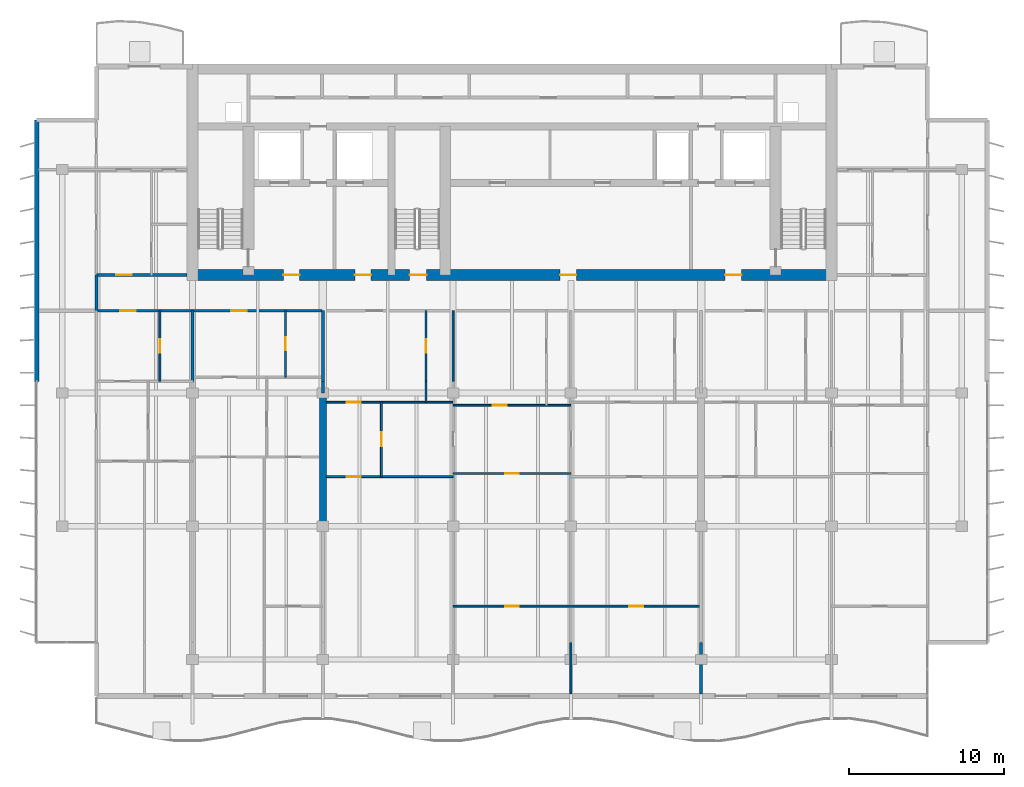
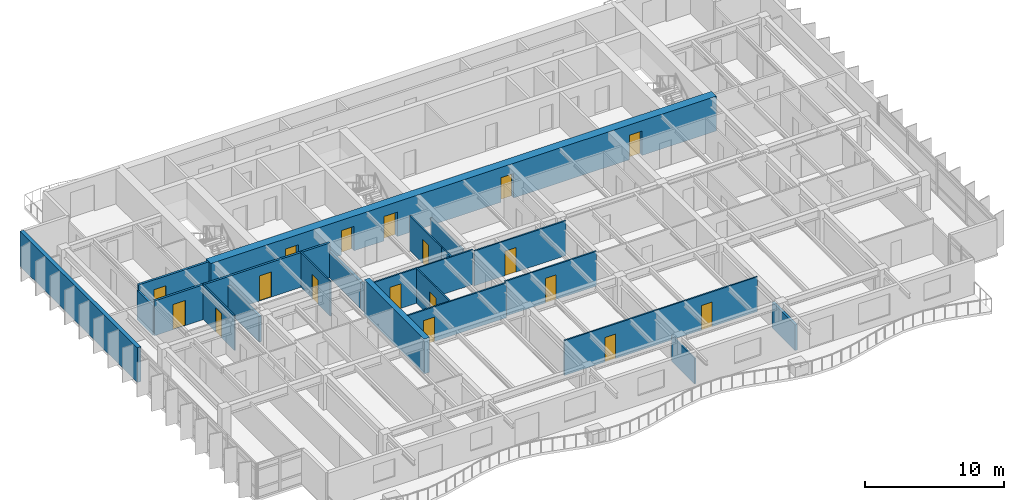
# One storey, part 7 of 16: 22 walls, 18 doors, 18 openings.
"""IFC4 building model written with IfcOpenShell, lengths in metres."""

from ifc_helpers import new_model, si_unit, direction, frame, frame_2d, origin, place, context, subcontext, project, spatial, rectangle, extrude, material, layer, layer_set, type_object, element, fill, save


model = new_model("IFC4")

# Units and contexts
model_context = context("Model", 3, precision=1e-05, world=origin(), true_north=direction((0.0, 1.0)))
body_context = subcontext(model_context, "Body", "Model", "MODEL_VIEW")
ifc_project = project(units=[si_unit("LENGTHUNIT", "METRE"), si_unit("AREAUNIT", "SQUARE_METRE"), si_unit("VOLUMEUNIT", "CUBIC_METRE"), si_unit("PLANEANGLEUNIT", "RADIAN"), si_unit("MASSUNIT", "GRAM", prefix="KILO")], contexts=[model_context])

# Site, building, storey
site_placement = place(None, origin())
site = spatial("IfcSite", under=ifc_project, at=site_placement, CompositionType="ELEMENT")
building_placement = place(site_placement, origin())
building = spatial("IfcBuilding", under=site, at=building_placement, Name="Caelmar Bay Residences", CompositionType="ELEMENT")
storey_placement = place(building_placement, frame((0.0, 0.0, 249.60009765625)))
storey = spatial("IfcBuildingStorey", under=building, at=storey_placement, Name="L70", CompositionType="ELEMENT", Elevation=249.60009765625)

# Wall, openings, doors
ifc_material_1 = material(Name="Concrete f'c 55 MPa (8,000 psi)", Category="concrete")
ifc_layer_1 = layer(ifc_material_1, 0.699951171875)
ifc_layer_set_1 = layer_set([ifc_layer_1], Name="Concrete f'c 55 MPa (8,000 psi)")
wall_type_1 = type_object("IfcWallType", Name="SW-COR-700", PredefinedType="SHEAR", material=ifc_layer_set_1)
wall_1_placement = place(storey_placement, frame((17.949951171875, 37.0, 0.0), z_axis=(0.0, 0.0, 1.0), x_axis=(1.0, 0.0, 0.0)))
wall_1 = element("IfcWall", 1, at=wall_1_placement, inside=storey, type_object=wall_type_1, Name="L70 Rear Core South Shear Wall", PredefinedType="SHEAR", context=body_context, shape_type="SweptSolid", body=[
    extrude(rectangle(XDim=41.900146484375, YDim=0.699951171875, at=frame_2d((20.9501953125, 0.0))), origin(), (0.0, 0.0, 1.0), 3.0498046875),
])
opening_1_placement = place(wall_1_placement, frame((14.35009765625, 0.0, 0.0)))
opening_1 = element("IfcOpeningElement", 2, at=opening_1_placement, cuts=wall_1, Name="Opening D-L70-105", PredefinedType="OPENING", context=body_context, shape_type="SweptSolid", body=[
    extrude(rectangle(XDim=1.10009765625, YDim=2.14990234375, at=frame_2d((0.550048828125, 1.074951171875))), frame((0.0, 0.35986328125, 0.0), z_axis=(0.0, -1.0, 0.0), x_axis=(1.0, 0.0, 0.0)), (0.0, 0.0, 1.0), 0.719970703125),
])
opening_2_placement = place(wall_1_placement, frame((6.199951171875, 0.0, 0.0)))
opening_2 = element("IfcOpeningElement", 3, at=opening_2_placement, cuts=wall_1, Name="Opening D-L70-106", PredefinedType="OPENING", context=body_context, shape_type="SweptSolid", body=[
    extrude(rectangle(XDim=1.050048828125, YDim=2.14990234375, at=frame_2d((0.52490234375, 1.074951171875))), frame((0.0, 0.35986328125, 0.0), z_axis=(0.0, -1.0, 0.0), x_axis=(1.0, 0.0, 0.0)), (0.0, 0.0, 1.0), 0.719970703125),
])
opening_3_placement = place(wall_1_placement, frame((34.699951171875, 0.0, 0.0)))
opening_3 = element("IfcOpeningElement", 4, at=opening_3_placement, cuts=wall_1, Name="Opening D-L70-109", PredefinedType="OPENING", context=body_context, shape_type="SweptSolid", body=[
    extrude(rectangle(XDim=1.050048828125, YDim=2.14990234375, at=frame_2d((0.52490234375, 1.074951171875))), frame((0.0, 0.35986328125, 0.0), z_axis=(0.0, -1.0, 0.0), x_axis=(1.0, 0.0, 0.0)), (0.0, 0.0, 1.0), 0.719970703125),
])
opening_4_placement = place(wall_1_placement, frame((10.8125, 0.0, 0.0)))
opening_4 = element("IfcOpeningElement", 5, at=opening_4_placement, cuts=wall_1, Name="Opening D-L70-112", PredefinedType="OPENING", context=body_context, shape_type="SweptSolid", body=[
    extrude(rectangle(XDim=1.050048828125, YDim=2.14990234375, at=frame_2d((0.52490234375, 1.074951171875))), frame((0.0, 0.35986328125, 0.0), z_axis=(0.0, -1.0, 0.0), x_axis=(1.0, 0.0, 0.0)), (0.0, 0.0, 1.0), 0.719970703125),
])
opening_5_placement = place(wall_1_placement, frame((24.050048828125, 0.0, 0.0)))
opening_5 = element("IfcOpeningElement", 6, at=opening_5_placement, cuts=wall_1, Name="Opening D-L70-113", PredefinedType="OPENING", context=body_context, shape_type="SweptSolid", body=[
    extrude(rectangle(XDim=1.050048828125, YDim=2.14990234375, at=frame_2d((0.52490234375, 1.074951171875))), frame((0.0, 0.35986328125, 0.0), z_axis=(0.0, -1.0, 0.0), x_axis=(1.0, 0.0, 0.0)), (0.0, 0.0, 1.0), 0.719970703125),
])
ifc_material_2 = material(Name="Fire-rated steel and walnut architectural door assembly", Category="steel")
ifc_layer_2 = layer(ifc_material_2, 0.050048828125)
ifc_layer_set_2 = layer_set([ifc_layer_2], Name="Fire-rated steel and walnut architectural door assembly")
door_type_1 = type_object("IfcDoorType", Name="D-FSAE-1050", OperationType="NOTDEFINED", PredefinedType="DOOR", material=ifc_layer_set_2)
door_1_placement = place(opening_2_placement, origin())
door_1 = element("IfcDoor", 7, at=door_1_placement, inside=storey, type_object=door_type_1, Name="L70 Firefighting Lobby West Door", OperationType="SINGLE_SWING_RIGHT", OverallHeight=2.14990234375, OverallWidth=1.050048828125, PredefinedType="DOOR", context=body_context, shape_type="SweptSolid", body=[
    extrude(rectangle(XDim=1.050048828125, YDim=2.14990234375, at=frame_2d((0.52490234375, 1.074951171875))), frame((0.0, 0.02490234375, 0.0), z_axis=(0.0, -1.0, 0.0), x_axis=(1.0, 0.0, 0.0)), (0.0, 0.0, 1.0), 0.050048828125),
])
fill(opening_2, door_1)
door_2_placement = place(opening_3_placement, origin())
door_2 = element("IfcDoor", 8, at=door_2_placement, inside=storey, type_object=door_type_1, Name="L70 Firefighting Lobby East Door", OperationType="SINGLE_SWING_LEFT", OverallHeight=2.14990234375, OverallWidth=1.050048828125, PredefinedType="DOOR", context=body_context, shape_type="SweptSolid", body=[
    extrude(rectangle(XDim=1.050048828125, YDim=2.14990234375, at=frame_2d((0.52490234375, 1.074951171875))), frame((0.0, 0.02490234375, 0.0), z_axis=(0.0, -1.0, 0.0), x_axis=(1.0, 0.0, 0.0)), (0.0, 0.0, 1.0), 0.050048828125),
])
fill(opening_3, door_2)
door_3_placement = place(opening_4_placement, origin())
door_3 = element("IfcDoor", 9, at=door_3_placement, inside=storey, type_object=door_type_1, Name="L70 West Lift Lobby Door", OperationType="SINGLE_SWING_RIGHT", OverallHeight=2.14990234375, OverallWidth=1.050048828125, PredefinedType="DOOR", context=body_context, shape_type="SweptSolid", body=[
    extrude(rectangle(XDim=1.050048828125, YDim=2.14990234375, at=frame_2d((0.52490234375, 1.074951171875))), frame((0.0, 0.02490234375, 0.0), z_axis=(0.0, -1.0, 0.0), x_axis=(1.0, 0.0, 0.0)), (0.0, 0.0, 1.0), 0.050048828125),
])
fill(opening_4, door_3)
door_4_placement = place(opening_5_placement, origin())
door_4 = element("IfcDoor", 10, at=door_4_placement, inside=storey, type_object=door_type_1, Name="L70 Passenger Lift Lobby Door", OperationType="SINGLE_SWING_LEFT", OverallHeight=2.14990234375, OverallWidth=1.050048828125, PredefinedType="DOOR", context=body_context, shape_type="SweptSolid", body=[
    extrude(rectangle(XDim=1.050048828125, YDim=2.14990234375, at=frame_2d((0.52490234375, 1.074951171875))), frame((0.0, 0.02490234375, 0.0), z_axis=(0.0, -1.0, 0.0), x_axis=(1.0, 0.0, 0.0)), (0.0, 0.0, 1.0), 0.050048828125),
])
fill(opening_5, door_4)
ifc_layer_3 = layer(ifc_material_2, 0.050048828125)
ifc_layer_set_3 = layer_set([ifc_layer_3], Name="Fire-rated steel and walnut architectural door assembly")
door_type_2 = type_object("IfcDoorType", Name="D-STAIR-1100", OperationType="NOTDEFINED", PredefinedType="DOOR", material=ifc_layer_set_3)
door_5_placement = place(opening_1_placement, origin())
door_5 = element("IfcDoor", 11, at=door_5_placement, inside=storey, type_object=door_type_2, Name="L70 Exit Stair ST3 Door", OperationType="SINGLE_SWING_LEFT", OverallHeight=2.14990234375, OverallWidth=1.10009765625, PredefinedType="DOOR", context=body_context, shape_type="SweptSolid", body=[
    extrude(rectangle(XDim=1.10009765625, YDim=2.14990234375, at=frame_2d((0.550048828125, 1.074951171875))), frame((0.0, 0.02490234375, 0.0), z_axis=(0.0, -1.0, 0.0), x_axis=(1.0, 0.0, 0.0)), (0.0, 0.0, 1.0), 0.050048828125),
])
fill(opening_1, door_5)

# Walls
ifc_layer_4 = layer(ifc_material_1, 0.449951171875)
ifc_layer_set_4 = layer_set([ifc_layer_4], Name="Concrete f'c 55 MPa (8,000 psi)")
wall_type_2 = type_object("IfcWallType", Name="SW-XSLB-450", PredefinedType="SHEAR", material=ifc_layer_set_4)
wall_2_placement = place(storey_placement, frame((26.699951171875, 20.800048828125, 0.0), z_axis=(0.0, 0.0, 1.0), x_axis=(0.0, 1.0, 0.0)))
element("IfcWall", 12, at=wall_2_placement, inside=storey, type_object=wall_type_2, Name="L70 Transverse Cross-Slab Shear Wall W5", PredefinedType="SHEAR", context=body_context, shape_type="SweptSolid", body=[
    extrude(rectangle(XDim=8.599853515625, YDim=0.449951171875, at=frame_2d((4.2998046875, 0.0))), origin(), (0.0, 0.0, 1.0), 3.0498046875),
])
ifc_material_3 = material(Name="Double-stud acoustic fire-rated gypsum partition 180 mm")
ifc_layer_5 = layer(ifc_material_3, 0.179931640625)
ifc_layer_set_5 = layer_set([ifc_layer_5], Name="Double-stud acoustic fire-rated gypsum partition 180 mm")
wall_type_3 = type_object("IfcWallType", Name="W-COR-200", PredefinedType="PARTITIONING", material=ifc_layer_set_5)
wall_3_placement = place(storey_placement, frame((12.10009765625, 34.705078125, 0.0), z_axis=(0.0, 0.0, 1.0), x_axis=(0.0, 1.0, 0.0)))
element("IfcWall", 13, at=wall_3_placement, inside=storey, type_object=wall_type_3, Name="L70 Partition Wall V003", PredefinedType="PARTITIONING", context=body_context, shape_type="SweptSolid", body=[
    extrude(rectangle(XDim=2.294921875, YDim=0.179931640625, at=frame_2d((1.1474609375, 0.0))), origin(), (0.0, 0.0, 1.0), 2.577880859375),
])

# Wall, openings, doors
wall_4_placement = place(storey_placement, frame((12.10498046875, 34.699951171875, 0.0), z_axis=(0.0, 0.0, 1.0), x_axis=(1.0, 0.0, 0.0)))
wall_4 = element("IfcWall", 14, at=wall_4_placement, inside=storey, type_object=wall_type_3, Name="L70 Partition Wall H085", PredefinedType="PARTITIONING", context=body_context, shape_type="SweptSolid", body=[
    extrude(rectangle(XDim=14.544921875, YDim=0.179931640625, at=frame_2d((7.2724609375, 0.0))), origin(), (0.0, 0.0, 1.0), 3.0498046875),
])
opening_6_placement = place(wall_4_placement, frame((1.544921875, 0.0, 0.0)))
opening_6 = element("IfcOpeningElement", 15, at=opening_6_placement, cuts=wall_4, Name="Opening D-L70-124", PredefinedType="OPENING", context=body_context, shape_type="SweptSolid", body=[
    extrude(rectangle(XDim=1.0, YDim=2.199951171875, at=frame_2d((0.5, 1.10009765625))), frame((0.0, 0.099853515625, 0.0), z_axis=(0.0, -1.0, 0.0), x_axis=(1.0, 0.0, 0.0)), (0.0, 0.0, 1.0), 0.199951171875),
])
opening_7_placement = place(wall_4_placement, frame((8.69140625, 0.0, 0.0)))
opening_7 = element("IfcOpeningElement", 16, at=opening_7_placement, cuts=wall_4, Name="Opening D-L70-130", PredefinedType="OPENING", context=body_context, shape_type="SweptSolid", body=[
    extrude(rectangle(XDim=1.0, YDim=2.199951171875, at=frame_2d((0.5, 1.10009765625))), frame((0.0, 0.099853515625, 0.0), z_axis=(0.0, -1.0, 0.0), x_axis=(1.0, 0.0, 0.0)), (0.0, 0.0, 1.0), 0.199951171875),
])
ifc_layer_6 = layer(ifc_material_2, 0.050048828125)
ifc_layer_set_6 = layer_set([ifc_layer_6], Name="Fire-rated steel and walnut architectural door assembly")
door_type_3 = type_object("IfcDoorType", Name="D-UNIT-1000", OperationType="NOTDEFINED", PredefinedType="DOOR", material=ifc_layer_set_6)
door_6_placement = place(opening_6_placement, origin())
door_6 = element("IfcDoor", 17, at=door_6_placement, inside=storey, type_object=door_type_3, Name="L70 Residence 01 Apartment Hall Door", OperationType="SINGLE_SWING_RIGHT", OverallHeight=2.199951171875, OverallWidth=1.0, PredefinedType="DOOR", context=body_context, shape_type="SweptSolid", body=[
    extrude(rectangle(XDim=1.0, YDim=2.199951171875, at=frame_2d((0.5, 1.10009765625))), frame((0.0, 0.02490234375, 0.0), z_axis=(0.0, -1.0, 0.0), x_axis=(1.0, 0.0, 0.0)), (0.0, 0.0, 1.0), 0.050048828125),
])
fill(opening_6, door_6)
door_7_placement = place(opening_7_placement, origin())
door_7 = element("IfcDoor", 18, at=door_7_placement, inside=storey, type_object=door_type_3, Name="L70 Residence 02 Apartment Hall Door", OperationType="SINGLE_SWING_RIGHT", OverallHeight=2.199951171875, OverallWidth=1.0, PredefinedType="DOOR", context=body_context, shape_type="SweptSolid", body=[
    extrude(rectangle(XDim=1.0, YDim=2.199951171875, at=frame_2d((0.5, 1.10009765625))), frame((0.0, 0.02490234375, 0.0), z_axis=(0.0, -1.0, 0.0), x_axis=(1.0, 0.0, 0.0)), (0.0, 0.0, 1.0), 0.050048828125),
])
fill(opening_7, door_7)

# Wall, opening, door
wall_5_placement = place(storey_placement, frame((12.10009765625, 37.0, 0.0), z_axis=(0.0, 0.0, 1.0), x_axis=(1.0, 0.0, 0.0)))
wall_5 = element("IfcWall", 19, at=wall_5_placement, inside=storey, type_object=wall_type_3, Name="L70 Partition Wall H088", PredefinedType="PARTITIONING", context=body_context, shape_type="SweptSolid", body=[
    extrude(rectangle(XDim=5.844970703125, YDim=0.179931640625, at=frame_2d((2.92236328125, 0.0))), origin(), (0.0, 0.0, 1.0), 3.0498046875),
])
opening_8_placement = place(wall_5_placement, frame((1.27490234375, 0.0, 0.0)))
opening_8 = element("IfcOpeningElement", 20, at=opening_8_placement, cuts=wall_5, Name="Opening D-L70-164", PredefinedType="OPENING", context=body_context, shape_type="SweptSolid", body=[
    extrude(rectangle(XDim=1.0, YDim=2.199951171875, at=frame_2d((0.5, 1.10009765625))), frame((0.0, 0.099853515625, 0.0), z_axis=(0.0, -1.0, 0.0), x_axis=(1.0, 0.0, 0.0)), (0.0, 0.0, 1.0), 0.199951171875),
])
door_8_placement = place(opening_8_placement, origin())
door_8 = element("IfcDoor", 21, at=door_8_placement, inside=storey, type_object=door_type_3, Name="L70 Residence WA Kitchen Door", OperationType="SINGLE_SWING_RIGHT", OverallHeight=2.199951171875, OverallWidth=1.0, PredefinedType="DOOR", context=body_context, shape_type="SweptSolid", body=[
    extrude(rectangle(XDim=1.0, YDim=2.199951171875, at=frame_2d((0.5, 1.10009765625))), frame((0.0, 0.02490234375, 0.0), z_axis=(0.0, -1.0, 0.0), x_axis=(1.0, 0.0, 0.0)), (0.0, 0.0, 1.0), 0.050048828125),
])
fill(opening_8, door_8)

# Wall
ifc_material_4 = material(Name="Precast concrete f'c 40 MPa (6,000 psi)", Category="concrete")
ifc_layer_7 = layer(ifc_material_4, 0.300048828125)
ifc_layer_set_7 = layer_set([ifc_layer_7], Name="Precast concrete f'c 40 MPa (6,000 psi)")
wall_type_4 = type_object("IfcWallType", Name="W-EXT-300", PredefinedType="STANDARD", material=ifc_layer_set_7)
wall_6_placement = place(storey_placement, frame((8.25, 30.14990234375, 0.0), z_axis=(0.0, 0.0, 1.0), x_axis=(0.0, 1.0, 0.0)))
element("IfcWall", 22, at=wall_6_placement, inside=storey, type_object=wall_type_4, Name="L70 West Rear Exterior Wall", PredefinedType="STANDARD", context=body_context, shape_type="SweptSolid", body=[
    extrude(rectangle(XDim=16.85009765625, YDim=0.300048828125, at=frame_2d((8.425048828125, 0.0))), origin(), (0.0, 0.0, 1.0), 3.0498046875),
])

# Wall, opening, door
ifc_material_5 = material(Name="Acoustic metal-stud gypsum partition 120 mm")
ifc_layer_8 = layer(ifc_material_5, 0.1201171875)
ifc_layer_set_8 = layer_set([ifc_layer_8], Name="Acoustic metal-stud gypsum partition 120 mm")
wall_type_5 = type_object("IfcWallType", Name="W-PRT-120", PredefinedType="PARTITIONING", material=ifc_layer_set_8)
wall_7_placement = place(storey_placement, frame((16.195068359375, 30.14990234375, 0.0), z_axis=(0.0, 0.0, 1.0), x_axis=(0.0, 1.0, 0.0)))
wall_7 = element("IfcWall", 23, at=wall_7_placement, inside=storey, type_object=wall_type_5, Name="L70 Partition Wall V009", PredefinedType="PARTITIONING", context=body_context, shape_type="SweptSolid", body=[
    extrude(rectangle(XDim=4.550048828125, YDim=0.1201171875, at=frame_2d((2.27490234375, 0.0))), origin(), (0.0, 0.0, 1.0), 3.0498046875),
])
opening_9_placement = place(wall_7_placement, frame((1.85009765625, 0.0, 0.0)))
opening_9 = element("IfcOpeningElement", 24, at=opening_9_placement, cuts=wall_7, Name="Opening D-L70-125", PredefinedType="OPENING", context=body_context, shape_type="SweptSolid", body=[
    extrude(rectangle(XDim=0.85009765625, YDim=2.10009765625, at=frame_2d((0.425048828125, 1.050048828125))), frame((0.0, 0.070068359375, 0.0), z_axis=(0.0, -1.0, 0.0), x_axis=(1.0, 0.0, 0.0)), (0.0, 0.0, 1.0), 0.14013671875),
])
ifc_material_6 = material(Name="Solid walnut timber interior door leaf and frame", Category="wood")
ifc_layer_9 = layer(ifc_material_6, 0.050048828125)
ifc_layer_set_9 = layer_set([ifc_layer_9], Name="Solid walnut timber interior door leaf and frame")
door_type_4 = type_object("IfcDoorType", Name="D-BATH-850", OperationType="NOTDEFINED", PredefinedType="DOOR", material=ifc_layer_set_9)
door_9_placement = place(opening_9_placement, origin())
door_9 = element("IfcDoor", 25, at=door_9_placement, inside=storey, type_object=door_type_4, Name="L70 Residence 01 Bathroom Door", OperationType="SINGLE_SWING_LEFT", OverallHeight=2.10009765625, OverallWidth=0.85009765625, PredefinedType="DOOR", context=body_context, shape_type="SweptSolid", body=[
    extrude(rectangle(XDim=0.85009765625, YDim=2.10009765625, at=frame_2d((0.425048828125, 1.050048828125))), frame((0.0, 0.02490234375, 0.0), z_axis=(0.0, -1.0, 0.0), x_axis=(1.0, 0.0, 0.0)), (0.0, 0.0, 1.0), 0.050048828125),
])
fill(opening_9, door_9)

wall_8_placement = place(storey_placement, frame((24.29296875, 30.419921875, 0.0), z_axis=(0.0, 0.0, 1.0), x_axis=(0.0, 1.0, 0.0)))
wall_8 = element("IfcWall", 26, at=wall_8_placement, inside=storey, type_object=wall_type_5, Name="L70 Partition Wall V018", PredefinedType="PARTITIONING", context=body_context, shape_type="SweptSolid", body=[
    extrude(rectangle(XDim=4.280029296875, YDim=0.1201171875, at=frame_2d((2.14013671875, 0.0))), origin(), (0.0, 0.0, 1.0), 3.0498046875),
])
opening_10_placement = place(wall_8_placement, frame((1.715087890625, 0.0, 0.0)))
opening_10 = element("IfcOpeningElement", 27, at=opening_10_placement, cuts=wall_8, Name="Opening D-L70-131", PredefinedType="OPENING", context=body_context, shape_type="SweptSolid", body=[
    extrude(rectangle(XDim=0.85009765625, YDim=2.10009765625, at=frame_2d((0.425048828125, 1.050048828125))), frame((0.0, 0.070068359375, 0.0), z_axis=(0.0, -1.0, 0.0), x_axis=(1.0, 0.0, 0.0)), (0.0, 0.0, 1.0), 0.14013671875),
])
door_10_placement = place(opening_10_placement, origin())
door_10 = element("IfcDoor", 28, at=door_10_placement, inside=storey, type_object=door_type_4, Name="L70 Residence 02 Bathroom Door", OperationType="SINGLE_SWING_LEFT", OverallHeight=2.10009765625, OverallWidth=0.85009765625, PredefinedType="DOOR", context=body_context, shape_type="SweptSolid", body=[
    extrude(rectangle(XDim=0.85009765625, YDim=2.10009765625, at=frame_2d((0.425048828125, 1.050048828125))), frame((0.0, 0.02490234375, 0.0), z_axis=(0.0, -1.0, 0.0), x_axis=(1.0, 0.0, 0.0)), (0.0, 0.0, 1.0), 0.050048828125),
])
fill(opening_10, door_10)

wall_9_placement = place(storey_placement, frame((30.47998046875, 24.0, 0.0), z_axis=(0.0, 0.0, 1.0), x_axis=(0.0, 1.0, 0.0)))
wall_9 = element("IfcWall", 29, at=wall_9_placement, inside=storey, type_object=wall_type_5, Name="L70 Partition Wall V027", PredefinedType="PARTITIONING", context=body_context, shape_type="SweptSolid", body=[
    extrude(rectangle(XDim=4.800048828125, YDim=0.1201171875, at=frame_2d((2.39990234375, 0.0))), origin(), (0.0, 0.0, 1.0), 3.0498046875),
])
opening_11_placement = place(wall_9_placement, frame((1.949951171875, 0.0, 0.0)))
opening_11 = element("IfcOpeningElement", 30, at=opening_11_placement, cuts=wall_9, Name="Opening D-L70-140", PredefinedType="OPENING", context=body_context, shape_type="SweptSolid", body=[
    extrude(rectangle(XDim=0.89990234375, YDim=2.14990234375, at=frame_2d((0.449951171875, 1.074951171875))), frame((0.0, 0.070068359375, 0.0), z_axis=(0.0, -1.0, 0.0), x_axis=(1.0, 0.0, 0.0)), (0.0, 0.0, 1.0), 0.14013671875),
])
ifc_layer_10 = layer(ifc_material_6, 0.050048828125)
ifc_layer_set_10 = layer_set([ifc_layer_10], Name="Solid walnut timber interior door leaf and frame")
door_type_5 = type_object("IfcDoorType", Name="D-ROOM-900", OperationType="NOTDEFINED", PredefinedType="DOOR", material=ifc_layer_set_10)
door_11_placement = place(opening_11_placement, origin())
door_11 = element("IfcDoor", 31, at=door_11_placement, inside=storey, type_object=door_type_5, Name="L70 Residence 03 Kitchen Door", OperationType="SINGLE_SWING_RIGHT", OverallHeight=2.14990234375, OverallWidth=0.89990234375, PredefinedType="DOOR", context=body_context, shape_type="SweptSolid", body=[
    extrude(rectangle(XDim=0.89990234375, YDim=2.14990234375, at=frame_2d((0.449951171875, 1.074951171875))), frame((0.0, 0.02490234375, 0.0), z_axis=(0.0, -1.0, 0.0), x_axis=(1.0, 0.0, 0.0)), (0.0, 0.0, 1.0), 0.050048828125),
])
fill(opening_11, door_11)

# Wall
wall_10_placement = place(storey_placement, frame((33.35400390625, 28.800048828125, 0.0), z_axis=(0.0, 0.0, 1.0), x_axis=(0.0, 1.0, 0.0)))
element("IfcWall", 32, at=wall_10_placement, inside=storey, type_object=wall_type_5, Name="L70 Partition Wall V029", PredefinedType="PARTITIONING", context=body_context, shape_type="SweptSolid", body=[
    extrude(rectangle(XDim=1.33984375, YDim=0.1201171875, at=frame_2d((0.669921875, 0.0))), origin(), (0.0, 0.0, 1.0), 3.0498046875),
])

# Wall, opening, door
wall_11_placement = place(storey_placement, frame((33.35400390625, 30.14990234375, 0.0), z_axis=(0.0, 0.0, 1.0), x_axis=(0.0, 1.0, 0.0)))
wall_11 = element("IfcWall", 33, at=wall_11_placement, inside=storey, type_object=wall_type_5, Name="L70 Partition Wall V030", PredefinedType="PARTITIONING", context=body_context, shape_type="SweptSolid", body=[
    extrude(rectangle(XDim=4.550048828125, YDim=0.1201171875, at=frame_2d((2.27490234375, 0.0))), origin(), (0.0, 0.0, 1.0), 3.0498046875),
])
opening_12_placement = place(wall_11_placement, frame((1.85009765625, 0.0, 0.0)))
opening_12 = element("IfcOpeningElement", 34, at=opening_12_placement, cuts=wall_11, Name="Opening D-L70-138", PredefinedType="OPENING", context=body_context, shape_type="SweptSolid", body=[
    extrude(rectangle(XDim=0.85009765625, YDim=2.10009765625, at=frame_2d((0.425048828125, 1.050048828125))), frame((0.0, 0.070068359375, 0.0), z_axis=(0.0, -1.0, 0.0), x_axis=(1.0, 0.0, 0.0)), (0.0, 0.0, 1.0), 0.14013671875),
])
door_12_placement = place(opening_12_placement, origin())
door_12 = element("IfcDoor", 35, at=door_12_placement, inside=storey, type_object=door_type_4, Name="L70 Residence 03 Guest Bathroom Door", OperationType="SINGLE_SWING_RIGHT", OverallHeight=2.10009765625, OverallWidth=0.85009765625, PredefinedType="DOOR", context=body_context, shape_type="SweptSolid", body=[
    extrude(rectangle(XDim=0.85009765625, YDim=2.10009765625, at=frame_2d((0.425048828125, 1.050048828125))), frame((0.0, 0.02490234375, 0.0), z_axis=(0.0, -1.0, 0.0), x_axis=(1.0, 0.0, 0.0)), (0.0, 0.0, 1.0), 0.050048828125),
])
fill(opening_12, door_12)

# Walls
wall_12_placement = place(storey_placement, frame((35.10009765625, 30.14990234375, 0.0), z_axis=(0.0, 0.0, 1.0), x_axis=(0.0, 1.0, 0.0)))
element("IfcWall", 36, at=wall_12_placement, inside=storey, type_object=wall_type_5, Name="L70 Partition Wall V033", PredefinedType="PARTITIONING", context=body_context, shape_type="SweptSolid", body=[
    extrude(rectangle(XDim=4.550048828125, YDim=0.1201171875, at=frame_2d((2.27490234375, 0.0))), origin(), (0.0, 0.0, 1.0), 2.262939453125),
])
wall_13_placement = place(storey_placement, frame((42.699951171875, 9.9951171875, 0.0), z_axis=(0.0, 0.0, 1.0), x_axis=(0.0, 1.0, 0.0)))
element("IfcWall", 37, at=wall_13_placement, inside=storey, type_object=wall_type_5, Name="L70 Partition Wall V038", PredefinedType="PARTITIONING", context=body_context, shape_type="SweptSolid", body=[
    extrude(rectangle(XDim=3.304931640625, YDim=0.1201171875, at=frame_2d((1.65234375, 0.0))), origin(), (0.0, 0.0, 1.0), 2.262939453125),
])

# Wall, openings, doors
wall_14_placement = place(storey_placement, frame((35.10009765625, 15.64990234375, 0.0), z_axis=(0.0, 0.0, 1.0), x_axis=(1.0, 0.0, 0.0)))
wall_14 = element("IfcWall", 38, at=wall_14_placement, inside=storey, type_object=wall_type_5, Name="L70 Partition Wall H068", PredefinedType="PARTITIONING", context=body_context, shape_type="SweptSolid", body=[
    extrude(rectangle(XDim=16.0, YDim=0.1201171875, at=frame_2d((8.0, 0.0))), origin(), (0.0, 0.0, 1.0), 3.0498046875),
])
opening_13_placement = place(wall_14_placement, frame((3.35009765625, 0.0, 0.0)))
opening_13 = element("IfcOpeningElement", 39, at=opening_13_placement, cuts=wall_14, Name="Opening D-L70-146", PredefinedType="OPENING", context=body_context, shape_type="SweptSolid", body=[
    extrude(rectangle(XDim=0.89990234375, YDim=2.14990234375, at=frame_2d((0.449951171875, 1.074951171875))), frame((0.0, 0.070068359375, 0.0), z_axis=(0.0, -1.0, 0.0), x_axis=(1.0, 0.0, 0.0)), (0.0, 0.0, 1.0), 0.14013671875),
])
opening_14_placement = place(wall_14_placement, frame((11.35009765625, 0.0, 0.0)))
opening_14 = element("IfcOpeningElement", 40, at=opening_14_placement, cuts=wall_14, Name="Opening D-L70-151", PredefinedType="OPENING", context=body_context, shape_type="SweptSolid", body=[
    extrude(rectangle(XDim=0.89990234375, YDim=2.14990234375, at=frame_2d((0.449951171875, 1.074951171875))), frame((0.0, 0.070068359375, 0.0), z_axis=(0.0, -1.0, 0.0), x_axis=(1.0, 0.0, 0.0)), (0.0, 0.0, 1.0), 0.14013671875),
])
door_13_placement = place(opening_13_placement, origin())
door_13 = element("IfcDoor", 41, at=door_13_placement, inside=storey, type_object=door_type_5, Name="L70 Residence 03 Primary Bedroom 1 Door", OperationType="SINGLE_SWING_RIGHT", OverallHeight=2.14990234375, OverallWidth=0.89990234375, PredefinedType="DOOR", context=body_context, shape_type="SweptSolid", body=[
    extrude(rectangle(XDim=0.89990234375, YDim=2.14990234375, at=frame_2d((0.449951171875, 1.074951171875))), frame((0.0, 0.02490234375, 0.0), z_axis=(0.0, -1.0, 0.0), x_axis=(1.0, 0.0, 0.0)), (0.0, 0.0, 1.0), 0.050048828125),
])
fill(opening_13, door_13)
door_14_placement = place(opening_14_placement, origin())
door_14 = element("IfcDoor", 42, at=door_14_placement, inside=storey, type_object=door_type_5, Name="L70 Residence 03 Primary Bedroom 2 Door", OperationType="SINGLE_SWING_LEFT", OverallHeight=2.14990234375, OverallWidth=0.89990234375, PredefinedType="DOOR", context=body_context, shape_type="SweptSolid", body=[
    extrude(rectangle(XDim=0.89990234375, YDim=2.14990234375, at=frame_2d((0.449951171875, 1.074951171875))), frame((0.0, 0.02490234375, 0.0), z_axis=(0.0, -1.0, 0.0), x_axis=(1.0, 0.0, 0.0)), (0.0, 0.0, 1.0), 0.050048828125),
])
fill(opening_14, door_14)

# Wall, opening, door
wall_15_placement = place(storey_placement, frame((26.919921875, 24.0, 0.0), z_axis=(0.0, 0.0, 1.0), x_axis=(1.0, 0.0, 0.0)))
wall_15 = element("IfcWall", 43, at=wall_15_placement, inside=storey, type_object=wall_type_5, Name="L70 Partition Wall H070", PredefinedType="PARTITIONING", context=body_context, shape_type="SweptSolid", body=[
    extrude(rectangle(XDim=8.18017578125, YDim=0.1201171875, at=frame_2d((4.090087890625, 0.0))), origin(), (0.0, 0.0, 1.0), 3.0498046875),
])
opening_15_placement = place(wall_15_placement, frame((1.330078125, 0.0, 0.0)))
opening_15 = element("IfcOpeningElement", 44, at=opening_15_placement, cuts=wall_15, Name="Opening D-L70-141", PredefinedType="OPENING", context=body_context, shape_type="SweptSolid", body=[
    extrude(rectangle(XDim=0.89990234375, YDim=2.14990234375, at=frame_2d((0.449951171875, 1.074951171875))), frame((0.0, 0.070068359375, 0.0), z_axis=(0.0, -1.0, 0.0), x_axis=(1.0, 0.0, 0.0)), (0.0, 0.0, 1.0), 0.14013671875),
])
door_15_placement = place(opening_15_placement, origin())
door_15 = element("IfcDoor", 45, at=door_15_placement, inside=storey, type_object=door_type_5, Name="L70 Residence 03 Penthouse Living Salon Door", OperationType="SINGLE_SWING_LEFT", OverallHeight=2.14990234375, OverallWidth=0.89990234375, PredefinedType="DOOR", context=body_context, shape_type="SweptSolid", body=[
    extrude(rectangle(XDim=0.89990234375, YDim=2.14990234375, at=frame_2d((0.449951171875, 1.074951171875))), frame((0.0, 0.02490234375, 0.0), z_axis=(0.0, -1.0, 0.0), x_axis=(1.0, 0.0, 0.0)), (0.0, 0.0, 1.0), 0.050048828125),
])
fill(opening_15, door_15)

wall_16_placement = place(storey_placement, frame((35.10498046875, 24.199951171875, 0.0), z_axis=(0.0, 0.0, 1.0), x_axis=(1.0, 0.0, 0.0)))
wall_16 = element("IfcWall", 46, at=wall_16_placement, inside=storey, type_object=wall_type_5, Name="L70 Partition Wall H073", PredefinedType="PARTITIONING", context=body_context, shape_type="SweptSolid", body=[
    extrude(rectangle(XDim=7.590087890625, YDim=0.1201171875, at=frame_2d((3.794921875, 0.0))), origin(), (0.0, 0.0, 1.0), 3.0498046875),
])
opening_16_placement = place(wall_16_placement, frame((3.344970703125, 0.0, 0.0)))
opening_16 = element("IfcOpeningElement", 47, at=opening_16_placement, cuts=wall_16, Name="Opening D-L70-145", PredefinedType="OPENING", context=body_context, shape_type="SweptSolid", body=[
    extrude(rectangle(XDim=0.89990234375, YDim=2.14990234375, at=frame_2d((0.449951171875, 1.074951171875))), frame((0.0, 0.070068359375, 0.0), z_axis=(0.0, -1.0, 0.0), x_axis=(1.0, 0.0, 0.0)), (0.0, 0.0, 1.0), 0.14013671875),
])
door_16_placement = place(opening_16_placement, origin())
door_16 = element("IfcDoor", 48, at=door_16_placement, inside=storey, type_object=door_type_5, Name="L70 Residence 03 Penthouse Sitting Salon 1 Door", OperationType="SINGLE_SWING_LEFT", OverallHeight=2.14990234375, OverallWidth=0.89990234375, PredefinedType="DOOR", context=body_context, shape_type="SweptSolid", body=[
    extrude(rectangle(XDim=0.89990234375, YDim=2.14990234375, at=frame_2d((0.449951171875, 1.074951171875))), frame((0.0, 0.02490234375, 0.0), z_axis=(0.0, -1.0, 0.0), x_axis=(1.0, 0.0, 0.0)), (0.0, 0.0, 1.0), 0.050048828125),
])
fill(opening_16, door_16)

wall_17_placement = place(storey_placement, frame((35.10009765625, 28.60009765625, 0.0), z_axis=(0.0, 0.0, 1.0), x_axis=(1.0, 0.0, 0.0)))
wall_17 = element("IfcWall", 49, at=wall_17_placement, inside=storey, type_object=wall_type_5, Name="L70 Partition Wall H077", PredefinedType="PARTITIONING", context=body_context, shape_type="SweptSolid", body=[
    extrude(rectangle(XDim=7.599853515625, YDim=0.1201171875, at=frame_2d((3.7998046875, 0.0))), origin(), (0.0, 0.0, 1.0), 3.0498046875),
])
opening_17_placement = place(wall_17_placement, frame((2.56298828125, 0.0, 0.0)))
opening_17 = element("IfcOpeningElement", 50, at=opening_17_placement, cuts=wall_17, Name="Opening D-L70-143", PredefinedType="OPENING", context=body_context, shape_type="SweptSolid", body=[
    extrude(rectangle(XDim=0.89990234375, YDim=2.14990234375, at=frame_2d((0.449951171875, 1.074951171875))), frame((0.0, 0.070068359375, 0.0), z_axis=(0.0, -1.0, 0.0), x_axis=(1.0, 0.0, 0.0)), (0.0, 0.0, 1.0), 0.14013671875),
])
door_17_placement = place(opening_17_placement, origin())
door_17 = element("IfcDoor", 51, at=door_17_placement, inside=storey, type_object=door_type_5, Name="L70 Residence 03 Private Meeting Room 1 Door", OperationType="SINGLE_SWING_LEFT", OverallHeight=2.14990234375, OverallWidth=0.89990234375, PredefinedType="DOOR", context=body_context, shape_type="SweptSolid", body=[
    extrude(rectangle(XDim=0.89990234375, YDim=2.14990234375, at=frame_2d((0.449951171875, 1.074951171875))), frame((0.0, 0.02490234375, 0.0), z_axis=(0.0, -1.0, 0.0), x_axis=(1.0, 0.0, 0.0)), (0.0, 0.0, 1.0), 0.050048828125),
])
fill(opening_17, door_17)

wall_18_placement = place(storey_placement, frame((26.919921875, 28.800048828125, 0.0), z_axis=(0.0, 0.0, 1.0), x_axis=(1.0, 0.0, 0.0)))
wall_18 = element("IfcWall", 52, at=wall_18_placement, inside=storey, type_object=wall_type_5, Name="L70 Partition Wall H079", PredefinedType="PARTITIONING", context=body_context, shape_type="SweptSolid", body=[
    extrude(rectangle(XDim=8.175048828125, YDim=0.1201171875, at=frame_2d((4.08740234375, 0.0))), origin(), (0.0, 0.0, 1.0), 3.0498046875),
])
opening_18_placement = place(wall_18_placement, frame((1.330078125, 0.0, 0.0)))
opening_18 = element("IfcOpeningElement", 53, at=opening_18_placement, cuts=wall_18, Name="Opening D-L70-139", PredefinedType="OPENING", context=body_context, shape_type="SweptSolid", body=[
    extrude(rectangle(XDim=0.89990234375, YDim=2.14990234375, at=frame_2d((0.449951171875, 1.074951171875))), frame((0.0, 0.070068359375, 0.0), z_axis=(0.0, -1.0, 0.0), x_axis=(1.0, 0.0, 0.0)), (0.0, 0.0, 1.0), 0.14013671875),
])
door_18_placement = place(opening_18_placement, origin())
door_18 = element("IfcDoor", 54, at=door_18_placement, inside=storey, type_object=door_type_5, Name="L70 Residence 03 Dining Room Door", OperationType="SINGLE_SWING_LEFT", OverallHeight=2.14990234375, OverallWidth=0.89990234375, PredefinedType="DOOR", context=body_context, shape_type="SweptSolid", body=[
    extrude(rectangle(XDim=0.89990234375, YDim=2.14990234375, at=frame_2d((0.449951171875, 1.074951171875))), frame((0.0, 0.02490234375, 0.0), z_axis=(0.0, -1.0, 0.0), x_axis=(1.0, 0.0, 0.0)), (0.0, 0.0, 1.0), 0.050048828125),
])
fill(opening_18, door_18)

# Walls
ifc_material_7 = material(Name="Acoustic twin-stud fire-rated inter-tenancy partition 200 mm")
ifc_layer_11 = layer(ifc_material_7, 0.199951171875)
ifc_layer_set_11 = layer_set([ifc_layer_11], Name="Acoustic twin-stud fire-rated inter-tenancy partition 200 mm")
wall_type_6 = type_object("IfcWallType", Name="W-PTY-200", PredefinedType="PARTITIONING", material=ifc_layer_set_11)
wall_19_placement = place(storey_placement, frame((18.300048828125, 30.14990234375, 0.0), z_axis=(0.0, 0.0, 1.0), x_axis=(0.0, 1.0, 0.0)))
element("IfcWall", 55, at=wall_19_placement, inside=storey, type_object=wall_type_6, Name="L70 Partition Wall V012", PredefinedType="PARTITIONING", context=body_context, shape_type="SweptSolid", body=[
    extrude(rectangle(XDim=4.550048828125, YDim=0.199951171875, at=frame_2d((2.27490234375, 0.0))), origin(), (0.0, 0.0, 1.0), 2.262939453125),
])
wall_20_placement = place(storey_placement, frame((26.699951171875, 29.405029296875, 0.0), z_axis=(0.0, 0.0, 1.0), x_axis=(0.0, 1.0, 0.0)))
element("IfcWall", 56, at=wall_20_placement, inside=storey, type_object=wall_type_6, Name="L70 Partition Wall V023", PredefinedType="PARTITIONING", context=body_context, shape_type="SweptSolid", body=[
    extrude(rectangle(XDim=0.73486328125, YDim=0.199951171875, at=frame_2d((0.367431640625, 0.0))), origin(), (0.0, 0.0, 1.0), 2.3349609375),
])
wall_21_placement = place(storey_placement, frame((26.699951171875, 30.14990234375, 0.0), z_axis=(0.0, 0.0, 1.0), x_axis=(0.0, 1.0, 0.0)))
element("IfcWall", 57, at=wall_21_placement, inside=storey, type_object=wall_type_6, Name="L70 Partition Wall V024", PredefinedType="PARTITIONING", context=body_context, shape_type="SweptSolid", body=[
    extrude(rectangle(XDim=4.550048828125, YDim=0.199951171875, at=frame_2d((2.27490234375, 0.0))), origin(), (0.0, 0.0, 1.0), 2.3349609375),
])
wall_22_placement = place(storey_placement, frame((51.10009765625, 9.9951171875, 0.0), z_axis=(0.0, 0.0, 1.0), x_axis=(0.0, 1.0, 0.0)))
element("IfcWall", 58, at=wall_22_placement, inside=storey, type_object=wall_type_6, Name="L70 Partition Wall V047", PredefinedType="PARTITIONING", context=body_context, shape_type="SweptSolid", body=[
    extrude(rectangle(XDim=3.304931640625, YDim=0.199951171875, at=frame_2d((1.65234375, 0.0))), origin(), (0.0, 0.0, 1.0), 2.262939453125),
])

save(model, "model.ifc")
